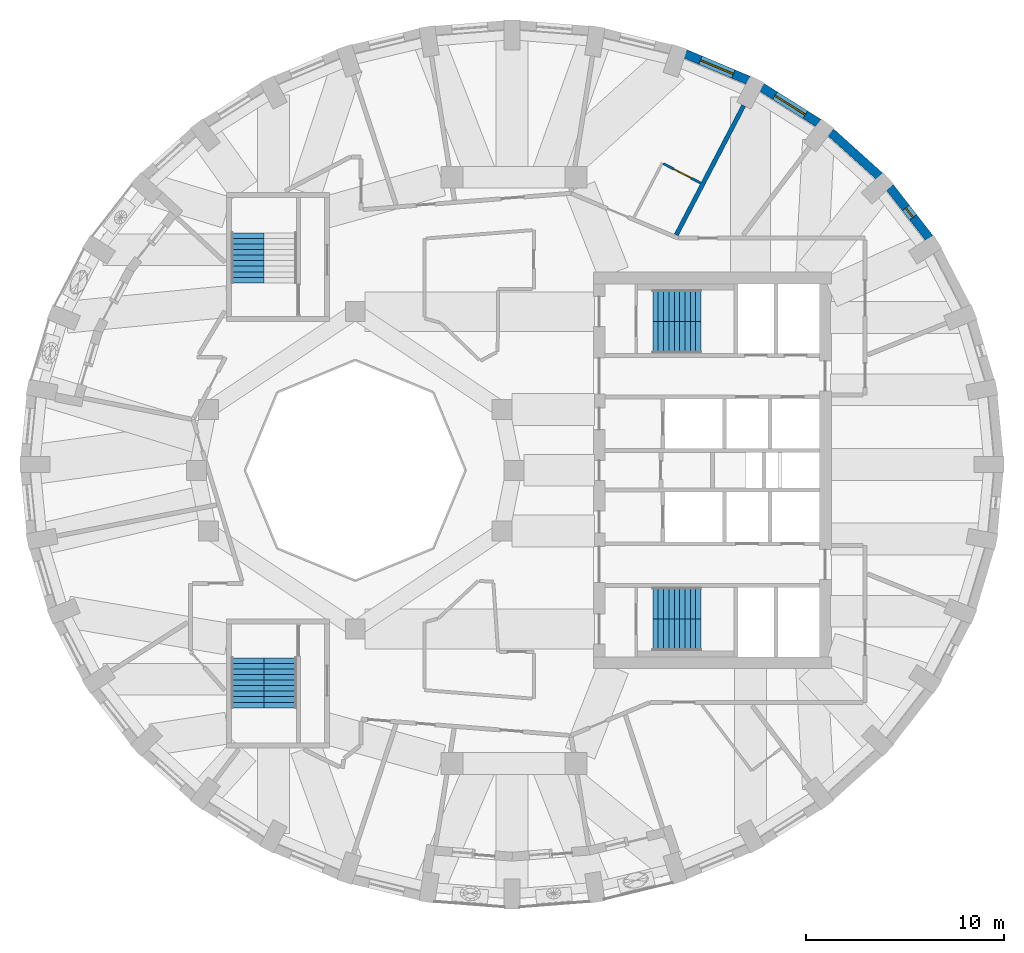
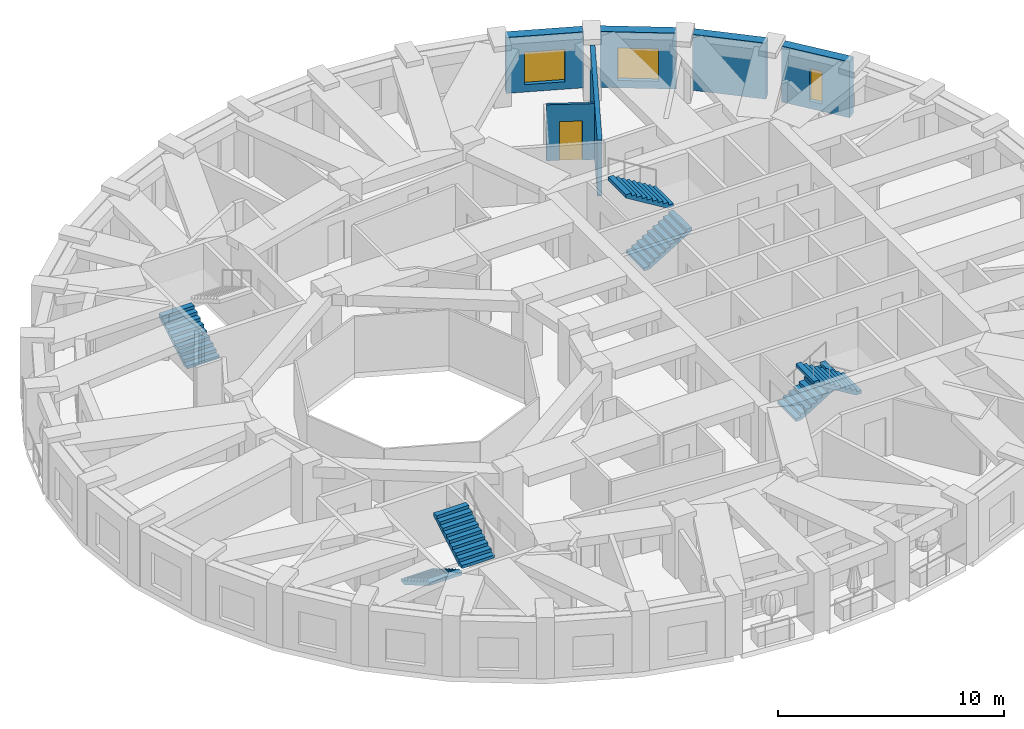
# One storey, part 8 of 12: 7 stair flights, 6 walls, 3 windows, 1 door, 4 openings, 4 elements without a shape of their own.
"""IFC4 building model written with IfcOpenShell, lengths in metres."""

from ifc_helpers import new_model, si_unit, direction, frame, frame_2d, origin, place, context, subcontext, project, spatial, polyline, rectangle, outline, extrude, material, layer, layer_set, type_object, element, fill, aggregate, save


model = new_model("IFC4")

# Units and contexts
model_context = context("Model", 3, precision=1e-05, world=origin(), true_north=direction((0.0, 1.0)))
body_context = subcontext(model_context, "Body", "Model", "MODEL_VIEW")
ifc_project = project(units=[si_unit("LENGTHUNIT", "METRE"), si_unit("AREAUNIT", "SQUARE_METRE"), si_unit("VOLUMEUNIT", "CUBIC_METRE"), si_unit("PLANEANGLEUNIT", "RADIAN"), si_unit("MASSUNIT", "GRAM", prefix="KILO")], contexts=[model_context])

# Site, building, storey
site_placement = place(None, origin())
site = spatial("IfcSite", under=ifc_project, at=site_placement, CompositionType="ELEMENT")
building_placement = place(site_placement, origin())
building = spatial("IfcBuilding", under=site, at=building_placement, Name="Taillehof Tower", CompositionType="ELEMENT")
storey_placement = place(building_placement, frame((0.0, 0.0, 243.199951171875)))
storey = spatial("IfcBuildingStorey", under=building, at=storey_placement, Name="L69", CompositionType="ELEMENT", Elevation=243.199951171875)

# Wall, opening, window
ifc_material_1 = material(Name="Brick masonry", Category="masonry")
ifc_layer_1 = layer(ifc_material_1, 0.449951171875)
ifc_layer_set_1 = layer_set([ifc_layer_1], Name="Brick infill wall 450")
wall_type_1 = type_object("IfcWallType", Name="Brick infill wall 450", PredefinedType="SOLIDWALL", material=ifc_layer_set_1)
wall_1_placement = place(storey_placement, frame((20.93505859375, 11.70849609375, 0.0), z_axis=(0.0, 0.0, 1.0), x_axis=(-0.613862536705, 0.789412937587, 0.0)))
wall_1 = element("IfcWall", 1, at=wall_1_placement, inside=storey, type_object=wall_type_1, Name="Brick wall L69 bay 4", PredefinedType="SOLIDWALL", context=body_context, shape_type="SweptSolid", body=[
    extrude(rectangle(XDim=3.247314453125, YDim=0.449951171875, at=frame_2d((1.62353515625, 0.0))), origin(), (0.0, 0.0, 1.0), 3.02001953125),
])
opening_1_placement = place(wall_1_placement, frame((1.32373046875, 0.0, 0.39990234375)))
opening_1 = element("IfcOpeningElement", 2, at=opening_1_placement, cuts=wall_1, Name="Opening W6", PredefinedType="OPENING", context=body_context, shape_type="SweptSolid", body=[
    extrude(rectangle(XDim=0.60009765625, YDim=1.75, at=frame_2d((0.300048828125, 0.875))), frame((0.0, 0.23486328125, 0.0), z_axis=(0.0, -1.0, 0.0), x_axis=(1.0, 0.0, 0.0)), (0.0, 0.0, 1.0), 0.469970703125),
])
ifc_material_2 = material(Name="Aluminium window frame with clear double glazing", Category="aluminium")
window_type_1 = type_object("IfcWindowType", Name="Slot window 600x1750", PartitioningType="SINGLE_PANEL", PredefinedType="WINDOW", material=ifc_material_2)
window_1_placement = place(opening_1_placement, origin())
window_1 = element("IfcWindow", 3, at=window_1_placement, inside=storey, type_object=window_type_1, Name="W6", OverallHeight=1.75, OverallWidth=0.60009765625, PartitioningType="SINGLE_PANEL", PredefinedType="WINDOW", context=body_context, shape_type="SweptSolid", body=[
    extrude(rectangle(XDim=0.60009765625, YDim=1.75, at=frame_2d((0.300048828125, 0.875))), frame((0.0, 0.034912109375, 0.0), z_axis=(0.0, -1.0, 0.0), x_axis=(1.0, 0.0, 0.0)), (0.0, 0.0, 1.0), 0.06005859375),
])
fill(opening_1, window_1)

# Wall
wall_2_placement = place(storey_placement, frame((18.423828125, 14.828369140625, 0.0), z_axis=(0.0, 0.0, 1.0), x_axis=(-0.743166014219, 0.669107073128, 0.0)))
element("IfcWall", 4, at=wall_2_placement, inside=storey, type_object=wall_type_1, Name="Brick wall L69 bay 5", PredefinedType="SOLIDWALL", context=body_context, shape_type="SweptSolid", body=[
    extrude(rectangle(XDim=3.31640625, YDim=0.449951171875, at=frame_2d((1.658203125, 0.0))), origin(), (0.0, 0.0, 1.0), 3.02001953125),
])

# Wall, opening, window
wall_3_placement = place(storey_placement, frame((15.35302734375, 17.506103515625, 0.0), z_axis=(0.0, 0.0, 1.0), x_axis=(-0.845929139811, 0.53329531258, 0.0)))
wall_3 = element("IfcWall", 5, at=wall_3_placement, inside=storey, type_object=wall_type_1, Name="Brick wall L69 bay 6", PredefinedType="SOLIDWALL", context=body_context, shape_type="SweptSolid", body=[
    extrude(rectangle(XDim=3.384521484375, YDim=0.449951171875, at=frame_2d((1.6923828125, 0.0))), origin(), (0.0, 0.0, 1.0), 3.02001953125),
])
opening_2_placement = place(wall_3_placement, frame((0.792236328125, 0.0, 0.39990234375)))
opening_2 = element("IfcOpeningElement", 6, at=opening_2_placement, cuts=wall_3, Name="Opening W4", PredefinedType="OPENING", context=body_context, shape_type="SweptSolid", body=[
    extrude(rectangle(XDim=1.800048828125, YDim=1.75, at=frame_2d((0.89990234375, 0.875))), frame((0.0, 0.23486328125, 0.0), z_axis=(0.0, -1.0, 0.0), x_axis=(1.0, 0.0, 0.0)), (0.0, 0.0, 1.0), 0.469970703125),
])
ifc_material_3 = material(Name="Aluminium window frame with clear double glazing", Category="aluminium")
window_type_2 = type_object("IfcWindowType", Name="Deep-set window 1800x1750", PartitioningType="SINGLE_PANEL", PredefinedType="WINDOW", material=ifc_material_3)
window_2_placement = place(opening_2_placement, origin())
window_2 = element("IfcWindow", 7, at=window_2_placement, inside=storey, type_object=window_type_2, Name="W4", OverallHeight=1.75, OverallWidth=1.800048828125, PartitioningType="SINGLE_PANEL", PredefinedType="WINDOW", context=body_context, shape_type="SweptSolid", body=[
    extrude(rectangle(XDim=1.800048828125, YDim=1.75, at=frame_2d((0.89990234375, 0.875))), frame((0.0, 0.034912109375, 0.0), z_axis=(0.0, -1.0, 0.0), x_axis=(1.0, 0.0, 0.0)), (0.0, 0.0, 1.0), 0.06005859375),
])
fill(opening_2, window_2)

wall_4_placement = place(storey_placement, frame((11.815673828125, 19.661865234375, 0.0), z_axis=(0.0, 0.0, 1.0), x_axis=(-0.922024627475, 0.387131226239, 0.0)))
wall_4 = element("IfcWall", 8, at=wall_4_placement, inside=storey, type_object=wall_type_1, Name="Brick wall L69 bay 7", PredefinedType="SOLIDWALL", context=body_context, shape_type="SweptSolid", body=[
    extrude(rectangle(XDim=3.443359375, YDim=0.449951171875, at=frame_2d((1.7216796875, 0.0))), origin(), (0.0, 0.0, 1.0), 3.02001953125),
])
opening_3_placement = place(wall_4_placement, frame((0.82177734375, 0.0, 0.39990234375)))
opening_3 = element("IfcOpeningElement", 9, at=opening_3_placement, cuts=wall_4, Name="Opening W4", PredefinedType="OPENING", context=body_context, shape_type="SweptSolid", body=[
    extrude(rectangle(XDim=1.800048828125, YDim=1.75, at=frame_2d((0.89990234375, 0.875))), frame((0.0, 0.23486328125, 0.0), z_axis=(0.0, -1.0, 0.0), x_axis=(1.0, 0.0, 0.0)), (0.0, 0.0, 1.0), 0.469970703125),
])
window_3_placement = place(opening_3_placement, origin())
window_3 = element("IfcWindow", 10, at=window_3_placement, inside=storey, type_object=window_type_2, Name="W4", OverallHeight=1.75, OverallWidth=1.800048828125, PartitioningType="SINGLE_PANEL", PredefinedType="WINDOW", context=body_context, shape_type="SweptSolid", body=[
    extrude(rectangle(XDim=1.800048828125, YDim=1.75, at=frame_2d((0.89990234375, 0.875))), frame((0.0, 0.034912109375, 0.0), z_axis=(0.0, -1.0, 0.0), x_axis=(1.0, 0.0, 0.0)), (0.0, 0.0, 1.0), 0.06005859375),
])
fill(opening_3, window_3)

# Wall
ifc_material_4 = material(Name="Gypsum board on double steel studs with mineral wool", Category="steel")
ifc_layer_2 = layer(ifc_material_4, 0.219970703125)
ifc_layer_set_2 = layer_set([ifc_layer_2], Name="Compartment wall guest room 220")
wall_type_2 = type_object("IfcWallType", Name="Compartment wall guest room 220", PredefinedType="PARTITIONING", material=ifc_layer_set_2)
wall_5_placement = place(storey_placement, frame((11.578125, 18.384521484375, 0.0), z_axis=(0.0, 0.0, 1.0), x_axis=(-0.462372875873, -0.886685583314, 0.0)))
element("IfcWall", 11, at=wall_5_placement, inside=storey, type_object=wall_type_2, Name="Compartment wall", PredefinedType="PARTITIONING", context=body_context, shape_type="SweptSolid", body=[
    extrude(rectangle(XDim=7.3447265625, YDim=0.219970703125, at=frame_2d((3.67236328125, 0.0))), origin(), (0.0, 0.0, 1.0), 3.02001953125),
])

# Wall, opening, door
ifc_material_5 = material(Name="Gypsum board on steel studs, moisture resistant", Category="steel")
ifc_layer_3 = layer(ifc_material_5, 0.1201171875)
ifc_layer_set_3 = layer_set([ifc_layer_3], Name="En-suite wall 120")
wall_type_3 = type_object("IfcWallType", Name="En-suite wall 120", PredefinedType="PARTITIONING", material=ifc_layer_set_3)
wall_6_placement = place(storey_placement, frame((7.52734375, 15.4609375, 0.0), z_axis=(0.0, 0.0, 1.0), x_axis=(0.88668701022, -0.462370139507, 0.0)))
wall_6 = element("IfcWall", 12, at=wall_6_placement, inside=storey, type_object=wall_type_3, Name="En-suite wall", PredefinedType="PARTITIONING", context=body_context, shape_type="SweptSolid", body=[
    extrude(rectangle(XDim=2.130126953125, YDim=0.1201171875, at=frame_2d((1.06494140625, 0.0))), origin(), (0.0, 0.0, 1.0), 3.02001953125),
])
opening_4_placement = place(wall_6_placement, frame((0.590087890625, 0.0, 0.0)))
opening_4 = element("IfcOpeningElement", 13, at=opening_4_placement, cuts=wall_6, Name="Opening D6942", PredefinedType="OPENING", context=body_context, shape_type="SweptSolid", body=[
    extrude(rectangle(XDim=1.0, YDim=2.10009765625, at=frame_2d((0.5, 1.050048828125))), frame((0.0, 0.070068359375, 0.0), z_axis=(0.0, -1.0, 0.0), x_axis=(1.0, 0.0, 0.0)), (0.0, 0.0, 1.0), 0.14013671875),
])
ifc_material_6 = material(Name="Timber door leaf in steel frame", Category="steel")
door_type = type_object("IfcDoorType", Name="Accessible en-suite door 1000 x 2100", OperationType="SINGLE_SWING_LEFT", PredefinedType="DOOR", material=ifc_material_6)
door_placement = place(opening_4_placement, origin())
door = element("IfcDoor", 14, at=door_placement, inside=storey, type_object=door_type, Name="D6942", OperationType="SINGLE_SWING_RIGHT", OverallHeight=2.10009765625, OverallWidth=1.0, PredefinedType="DOOR", context=body_context, shape_type="SweptSolid", body=[
    extrude(rectangle(XDim=1.0, YDim=2.10009765625, at=frame_2d((0.5, 1.050048828125))), frame((0.0, 0.02490234375, 0.0), z_axis=(0.0, -1.0, 0.0), x_axis=(1.0, 0.0, 0.0)), (0.0, 0.0, 1.0), 0.050048828125),
])
fill(opening_4, door)

# Stair, stair flights
ifc_material_7 = material(Name="Concrete C40/50", Category="concrete")
stair_type = type_object("IfcStairType", Name="Exit stair half-turn", PredefinedType="HALF_TURN_STAIR", material=ifc_material_7)
stair_1_placement = place(storey_placement, origin())
stair_1 = element("IfcStair", 15, at=stair_1_placement, inside=storey, type_object=stair_type, Name="Exit stair S1", PredefinedType="HALF_TURN_STAIR")
ifc_material_8 = material(Name="Concrete C40/50", Category="concrete")
stair_flight_type_1 = type_object("IfcStairFlightType", Name="Stair flight 1600 riser 165.0 going 270", PredefinedType="STRAIGHT", material=ifc_material_8)
stair_flight_1_placement = place(storey_placement, frame((7.0, 6.699951171875, 0.0), z_axis=(0.0, 0.0, 1.0), x_axis=(1.0, 0.0, 0.0)))
stair_flight_1 = element("IfcStairFlight", 16, at=stair_flight_1_placement, type_object=stair_flight_type_1, Name="S1 flight 1", NumberOfRisers=10, NumberOfTreads=9, PredefinedType="STRAIGHT", RiserHeight=0.165, TreadLength=0.27, context=body_context, shape_type="SweptSolid", body=[
    extrude(outline(polyline([(0.0, 0.0), (0.0, 0.00537109375), (0.0, 0.0107421875), (0.0, 0.015869140625), (0.0, 0.021240234375), (0.0, 0.026611328125), (0.0, 0.031982421875), (0.0, 0.037353515625), (0.0, 0.04248046875), (0.0, 0.0478515625), (0.0, 0.05322265625), (0.0, 0.05859375), (0.0, 0.06396484375), (0.0, 0.069091796875), (0.0, 0.074462890625), (0.0, 0.079833984375), (0.0, 0.085205078125), (0.0, 0.090576171875), (0.0, 0.095703125), (0.0, 0.10107421875), (0.0, 0.1064453125), (0.0, 0.11181640625), (0.0, 0.1171875), (0.0, 0.122314453125), (0.0, 0.127685546875), (0.0, 0.133056640625), (0.0, 0.138427734375), (0.0, 0.143798828125), (0.0, 0.14892578125), (0.0, 0.154296875), (0.0, 0.15966796875), (0.0, 0.1650390625), (0.27001953125, 0.1650390625), (0.27001953125, 0.330078125), (0.5400390625, 0.330078125), (0.5400390625, 0.4951171875), (0.81005859375, 0.4951171875), (0.81005859375, 0.659912109375), (1.080078125, 0.659912109375), (1.080078125, 0.824951171875), (1.35009765625, 0.824951171875), (1.35009765625, 0.989990234375), (1.6201171875, 0.989990234375), (1.6201171875, 1.155029296875), (1.889892578125, 1.155029296875), (1.889892578125, 1.320068359375), (2.159912109375, 1.320068359375), (2.159912109375, 1.485107421875), (2.429931640625, 1.485107421875), (2.429931640625, 1.479248046875), (2.429931640625, 1.4736328125), (2.429931640625, 1.468017578125), (2.429931640625, 1.46240234375), (2.429931640625, 1.45654296875), (2.429931640625, 1.450927734375), (2.429931640625, 1.4453125), (2.429931640625, 1.439697265625), (2.429931640625, 1.43408203125), (2.429931640625, 1.42822265625), (2.429931640625, 1.422607421875), (2.429931640625, 1.4169921875), (2.429931640625, 1.411376953125), (2.429931640625, 1.40576171875), (2.429931640625, 1.39990234375), (2.429931640625, 1.394287109375), (2.429931640625, 1.388671875), (2.429931640625, 1.383056640625), (2.429931640625, 1.37744140625), (2.429931640625, 1.37158203125), (2.429931640625, 1.365966796875), (2.429931640625, 1.3603515625), (2.429931640625, 1.354736328125), (2.429931640625, 1.348876953125), (2.429931640625, 1.34326171875), (2.429931640625, 1.337646484375), (2.429931640625, 1.33203125), (2.429931640625, 1.326416015625), (2.429931640625, 1.320556640625), (2.429931640625, 1.31494140625), (2.429931640625, 1.309326171875), (0.287353515625, 0.0), (0.0, 0.0)])), frame((0.0, 0.800048828125, 0.0), z_axis=(0.0, -1.0, 0.0), x_axis=(1.0, 0.0, 0.0)), (0.0, 0.0, 1.0), 1.6),
])
stair_flight_2_placement = place(storey_placement, frame((9.429931640625, 8.300048828125, 1.650146484375), z_axis=(0.0, 0.0, 1.0), x_axis=(-1.0, 0.0, 0.0)))
stair_flight_2 = element("IfcStairFlight", 17, at=stair_flight_2_placement, type_object=stair_flight_type_1, Name="S1 flight 2", NumberOfRisers=10, NumberOfTreads=9, PredefinedType="STRAIGHT", RiserHeight=0.165, TreadLength=0.27, context=body_context, shape_type="SweptSolid", body=[
    extrude(outline(polyline([(0.0, 0.0), (0.0, 0.00537109375), (0.0, 0.0107421875), (0.0, 0.015869140625), (0.0, 0.021240234375), (0.0, 0.026611328125), (0.0, 0.031982421875), (0.0, 0.037353515625), (0.0, 0.04248046875), (0.0, 0.0478515625), (0.0, 0.05322265625), (0.0, 0.05859375), (0.0, 0.06396484375), (0.0, 0.069091796875), (0.0, 0.074462890625), (0.0, 0.079833984375), (0.0, 0.085205078125), (0.0, 0.090576171875), (0.0, 0.095703125), (0.0, 0.10107421875), (0.0, 0.1064453125), (0.0, 0.11181640625), (0.0, 0.1171875), (0.0, 0.122314453125), (0.0, 0.127685546875), (0.0, 0.133056640625), (0.0, 0.138427734375), (0.0, 0.143798828125), (0.0, 0.14892578125), (0.0, 0.154296875), (0.0, 0.15966796875), (0.0, 0.1650390625), (0.27001953125, 0.1650390625), (0.27001953125, 0.330078125), (0.5400390625, 0.330078125), (0.5400390625, 0.4951171875), (0.81005859375, 0.4951171875), (0.81005859375, 0.659912109375), (1.080078125, 0.659912109375), (1.080078125, 0.824951171875), (1.35009765625, 0.824951171875), (1.35009765625, 0.989990234375), (1.6201171875, 0.989990234375), (1.6201171875, 1.155029296875), (1.889892578125, 1.155029296875), (1.889892578125, 1.320068359375), (2.159912109375, 1.320068359375), (2.159912109375, 1.485107421875), (2.429931640625, 1.485107421875), (2.429931640625, 1.479248046875), (2.429931640625, 1.4736328125), (2.429931640625, 1.468017578125), (2.429931640625, 1.46240234375), (2.429931640625, 1.45654296875), (2.429931640625, 1.450927734375), (2.429931640625, 1.4453125), (2.429931640625, 1.439697265625), (2.429931640625, 1.43408203125), (2.429931640625, 1.42822265625), (2.429931640625, 1.422607421875), (2.429931640625, 1.4169921875), (2.429931640625, 1.411376953125), (2.429931640625, 1.40576171875), (2.429931640625, 1.39990234375), (2.429931640625, 1.394287109375), (2.429931640625, 1.388671875), (2.429931640625, 1.383056640625), (2.429931640625, 1.37744140625), (2.429931640625, 1.37158203125), (2.429931640625, 1.365966796875), (2.429931640625, 1.3603515625), (2.429931640625, 1.354736328125), (2.429931640625, 1.348876953125), (2.429931640625, 1.34326171875), (2.429931640625, 1.337646484375), (2.429931640625, 1.33203125), (2.429931640625, 1.326416015625), (2.429931640625, 1.320556640625), (2.429931640625, 1.31494140625), (2.429931640625, 1.309326171875), (0.287353515625, 0.0), (0.0, 0.0)])), frame((0.0, 0.800048828125, 0.0), z_axis=(0.0, -1.0, 0.0), x_axis=(1.0, 0.0, 0.0)), (0.0, 0.0, 1.0), 1.6),
])
aggregate(stair_1, [stair_flight_1, stair_flight_2])

stair_2_placement = place(storey_placement, origin())
stair_2 = element("IfcStair", 18, at=stair_2_placement, inside=storey, type_object=stair_type, Name="Exit stair S2", PredefinedType="HALF_TURN_STAIR")
stair_flight_3_placement = place(storey_placement, frame((7.0, -6.699951171875, 0.0), z_axis=(0.0, 0.0, 1.0), x_axis=(1.0, 0.0, 0.0)))
stair_flight_3 = element("IfcStairFlight", 19, at=stair_flight_3_placement, type_object=stair_flight_type_1, Name="S2 flight 1", NumberOfRisers=10, NumberOfTreads=9, PredefinedType="STRAIGHT", RiserHeight=0.165, TreadLength=0.27, context=body_context, shape_type="SweptSolid", body=[
    extrude(outline(polyline([(0.0, 0.0), (0.0, 0.00537109375), (0.0, 0.0107421875), (0.0, 0.015869140625), (0.0, 0.021240234375), (0.0, 0.026611328125), (0.0, 0.031982421875), (0.0, 0.037353515625), (0.0, 0.04248046875), (0.0, 0.0478515625), (0.0, 0.05322265625), (0.0, 0.05859375), (0.0, 0.06396484375), (0.0, 0.069091796875), (0.0, 0.074462890625), (0.0, 0.079833984375), (0.0, 0.085205078125), (0.0, 0.090576171875), (0.0, 0.095703125), (0.0, 0.10107421875), (0.0, 0.1064453125), (0.0, 0.11181640625), (0.0, 0.1171875), (0.0, 0.122314453125), (0.0, 0.127685546875), (0.0, 0.133056640625), (0.0, 0.138427734375), (0.0, 0.143798828125), (0.0, 0.14892578125), (0.0, 0.154296875), (0.0, 0.15966796875), (0.0, 0.1650390625), (0.27001953125, 0.1650390625), (0.27001953125, 0.330078125), (0.5400390625, 0.330078125), (0.5400390625, 0.4951171875), (0.81005859375, 0.4951171875), (0.81005859375, 0.659912109375), (1.080078125, 0.659912109375), (1.080078125, 0.824951171875), (1.35009765625, 0.824951171875), (1.35009765625, 0.989990234375), (1.6201171875, 0.989990234375), (1.6201171875, 1.155029296875), (1.889892578125, 1.155029296875), (1.889892578125, 1.320068359375), (2.159912109375, 1.320068359375), (2.159912109375, 1.485107421875), (2.429931640625, 1.485107421875), (2.429931640625, 1.479248046875), (2.429931640625, 1.4736328125), (2.429931640625, 1.468017578125), (2.429931640625, 1.46240234375), (2.429931640625, 1.45654296875), (2.429931640625, 1.450927734375), (2.429931640625, 1.4453125), (2.429931640625, 1.439697265625), (2.429931640625, 1.43408203125), (2.429931640625, 1.42822265625), (2.429931640625, 1.422607421875), (2.429931640625, 1.4169921875), (2.429931640625, 1.411376953125), (2.429931640625, 1.40576171875), (2.429931640625, 1.39990234375), (2.429931640625, 1.394287109375), (2.429931640625, 1.388671875), (2.429931640625, 1.383056640625), (2.429931640625, 1.37744140625), (2.429931640625, 1.37158203125), (2.429931640625, 1.365966796875), (2.429931640625, 1.3603515625), (2.429931640625, 1.354736328125), (2.429931640625, 1.348876953125), (2.429931640625, 1.34326171875), (2.429931640625, 1.337646484375), (2.429931640625, 1.33203125), (2.429931640625, 1.326416015625), (2.429931640625, 1.320556640625), (2.429931640625, 1.31494140625), (2.429931640625, 1.309326171875), (0.287353515625, 0.0), (0.0, 0.0)])), frame((0.0, 0.800048828125, 0.0), z_axis=(0.0, -1.0, 0.0), x_axis=(1.0, 0.0, 0.0)), (0.0, 0.0, 1.0), 1.6),
])
stair_flight_4_placement = place(storey_placement, frame((9.429931640625, -8.300048828125, 1.650146484375), z_axis=(0.0, 0.0, 1.0), x_axis=(-1.0, 0.0, 0.0)))
stair_flight_4 = element("IfcStairFlight", 20, at=stair_flight_4_placement, type_object=stair_flight_type_1, Name="S2 flight 2", NumberOfRisers=10, NumberOfTreads=9, PredefinedType="STRAIGHT", RiserHeight=0.165, TreadLength=0.27, context=body_context, shape_type="SweptSolid", body=[
    extrude(outline(polyline([(0.0, 0.0), (0.0, 0.00537109375), (0.0, 0.0107421875), (0.0, 0.015869140625), (0.0, 0.021240234375), (0.0, 0.026611328125), (0.0, 0.031982421875), (0.0, 0.037353515625), (0.0, 0.04248046875), (0.0, 0.0478515625), (0.0, 0.05322265625), (0.0, 0.05859375), (0.0, 0.06396484375), (0.0, 0.069091796875), (0.0, 0.074462890625), (0.0, 0.079833984375), (0.0, 0.085205078125), (0.0, 0.090576171875), (0.0, 0.095703125), (0.0, 0.10107421875), (0.0, 0.1064453125), (0.0, 0.11181640625), (0.0, 0.1171875), (0.0, 0.122314453125), (0.0, 0.127685546875), (0.0, 0.133056640625), (0.0, 0.138427734375), (0.0, 0.143798828125), (0.0, 0.14892578125), (0.0, 0.154296875), (0.0, 0.15966796875), (0.0, 0.1650390625), (0.27001953125, 0.1650390625), (0.27001953125, 0.330078125), (0.5400390625, 0.330078125), (0.5400390625, 0.4951171875), (0.81005859375, 0.4951171875), (0.81005859375, 0.659912109375), (1.080078125, 0.659912109375), (1.080078125, 0.824951171875), (1.35009765625, 0.824951171875), (1.35009765625, 0.989990234375), (1.6201171875, 0.989990234375), (1.6201171875, 1.155029296875), (1.889892578125, 1.155029296875), (1.889892578125, 1.320068359375), (2.159912109375, 1.320068359375), (2.159912109375, 1.485107421875), (2.429931640625, 1.485107421875), (2.429931640625, 1.479248046875), (2.429931640625, 1.4736328125), (2.429931640625, 1.468017578125), (2.429931640625, 1.46240234375), (2.429931640625, 1.45654296875), (2.429931640625, 1.450927734375), (2.429931640625, 1.4453125), (2.429931640625, 1.439697265625), (2.429931640625, 1.43408203125), (2.429931640625, 1.42822265625), (2.429931640625, 1.422607421875), (2.429931640625, 1.4169921875), (2.429931640625, 1.411376953125), (2.429931640625, 1.40576171875), (2.429931640625, 1.39990234375), (2.429931640625, 1.394287109375), (2.429931640625, 1.388671875), (2.429931640625, 1.383056640625), (2.429931640625, 1.37744140625), (2.429931640625, 1.37158203125), (2.429931640625, 1.365966796875), (2.429931640625, 1.3603515625), (2.429931640625, 1.354736328125), (2.429931640625, 1.348876953125), (2.429931640625, 1.34326171875), (2.429931640625, 1.337646484375), (2.429931640625, 1.33203125), (2.429931640625, 1.326416015625), (2.429931640625, 1.320556640625), (2.429931640625, 1.31494140625), (2.429931640625, 1.309326171875), (0.287353515625, 0.0), (0.0, 0.0)])), frame((0.0, 0.800048828125, 0.0), z_axis=(0.0, -1.0, 0.0), x_axis=(1.0, 0.0, 0.0)), (0.0, 0.0, 1.0), 1.6),
])
aggregate(stair_2, [stair_flight_3, stair_flight_4])

# Stair, stair flight
stair_3_placement = place(storey_placement, origin())
stair_3 = element("IfcStair", 21, at=stair_3_placement, inside=storey, type_object=stair_type, Name="Exit stair S3", PredefinedType="HALF_TURN_STAIR")
ifc_material_9 = material(Name="Concrete C40/50", Category="concrete")
stair_flight_type_2 = type_object("IfcStairFlightType", Name="Stair flight 1650 riser 165.0 going 280", PredefinedType="STRAIGHT", material=ifc_material_9)
stair_flight_5_placement = place(storey_placement, frame((-13.425048828125, 9.449951171875, 0.0), z_axis=(0.0, 0.0, 1.0), x_axis=(0.0, 1.0, 0.0)))
stair_flight_5 = element("IfcStairFlight", 22, at=stair_flight_5_placement, type_object=stair_flight_type_2, Name="S3 flight 1", NumberOfRisers=10, NumberOfTreads=9, PredefinedType="STRAIGHT", RiserHeight=0.165, TreadLength=0.28, context=body_context, shape_type="SweptSolid", body=[
    extrude(outline(polyline([(0.0, 0.0), (0.0, 0.00537109375), (0.0, 0.0107421875), (0.0, 0.015869140625), (0.0, 0.021240234375), (0.0, 0.026611328125), (0.0, 0.031982421875), (0.0, 0.037353515625), (0.0, 0.04248046875), (0.0, 0.0478515625), (0.0, 0.05322265625), (0.0, 0.05859375), (0.0, 0.06396484375), (0.0, 0.069091796875), (0.0, 0.074462890625), (0.0, 0.079833984375), (0.0, 0.085205078125), (0.0, 0.090576171875), (0.0, 0.095703125), (0.0, 0.10107421875), (0.0, 0.1064453125), (0.0, 0.11181640625), (0.0, 0.1171875), (0.0, 0.122314453125), (0.0, 0.127685546875), (0.0, 0.133056640625), (0.0, 0.138427734375), (0.0, 0.143798828125), (0.0, 0.14892578125), (0.0, 0.154296875), (0.0, 0.15966796875), (0.0, 0.1650390625), (0.280029296875, 0.1650390625), (0.280029296875, 0.330078125), (0.56005859375, 0.330078125), (0.56005859375, 0.4951171875), (0.840087890625, 0.4951171875), (0.840087890625, 0.659912109375), (1.1201171875, 0.659912109375), (1.1201171875, 0.824951171875), (1.39990234375, 0.824951171875), (1.39990234375, 0.989990234375), (1.679931640625, 0.989990234375), (1.679931640625, 1.155029296875), (1.9599609375, 1.155029296875), (1.9599609375, 1.320068359375), (2.239990234375, 1.320068359375), (2.239990234375, 1.485107421875), (2.52001953125, 1.485107421875), (2.52001953125, 1.4794921875), (2.52001953125, 1.473876953125), (2.52001953125, 1.46826171875), (2.52001953125, 1.462646484375), (2.52001953125, 1.45703125), (2.52001953125, 1.451416015625), (2.52001953125, 1.44580078125), (2.52001953125, 1.440185546875), (2.52001953125, 1.4345703125), (2.52001953125, 1.428955078125), (2.52001953125, 1.42333984375), (2.52001953125, 1.417724609375), (2.52001953125, 1.412109375), (2.52001953125, 1.406494140625), (2.52001953125, 1.40087890625), (2.52001953125, 1.395263671875), (2.52001953125, 1.3896484375), (2.52001953125, 1.384033203125), (2.52001953125, 1.37841796875), (2.52001953125, 1.372802734375), (2.52001953125, 1.3671875), (2.52001953125, 1.361572265625), (2.52001953125, 1.35595703125), (2.52001953125, 1.350341796875), (2.52001953125, 1.3447265625), (2.52001953125, 1.339111328125), (2.52001953125, 1.33349609375), (2.52001953125, 1.327880859375), (2.52001953125, 1.322265625), (2.52001953125, 1.316650390625), (2.52001953125, 1.31103515625), (0.295166015625, 0.0), (0.0, 0.0)])), frame((0.0, 0.824951171875, 0.0), z_axis=(0.0, -1.0, 0.0), x_axis=(1.0, 0.0, 0.0)), (0.0, 0.0, 1.0), 1.65),
])
aggregate(stair_3, [stair_flight_5])

# Stair, stair flights
stair_4_placement = place(storey_placement, origin())
stair_4 = element("IfcStair", 23, at=stair_4_placement, inside=storey, type_object=stair_type, Name="Exit stair S4", PredefinedType="HALF_TURN_STAIR")
stair_flight_6_placement = place(storey_placement, frame((-13.425048828125, -9.449951171875, 0.0), z_axis=(0.0, 0.0, 1.0), x_axis=(0.0, -1.0, 0.0)))
stair_flight_6 = element("IfcStairFlight", 24, at=stair_flight_6_placement, type_object=stair_flight_type_2, Name="S4 flight 1", NumberOfRisers=10, NumberOfTreads=9, PredefinedType="STRAIGHT", RiserHeight=0.165, TreadLength=0.28, context=body_context, shape_type="SweptSolid", body=[
    extrude(outline(polyline([(0.0, 0.0), (0.0, 0.00537109375), (0.0, 0.0107421875), (0.0, 0.015869140625), (0.0, 0.021240234375), (0.0, 0.026611328125), (0.0, 0.031982421875), (0.0, 0.037353515625), (0.0, 0.04248046875), (0.0, 0.0478515625), (0.0, 0.05322265625), (0.0, 0.05859375), (0.0, 0.06396484375), (0.0, 0.069091796875), (0.0, 0.074462890625), (0.0, 0.079833984375), (0.0, 0.085205078125), (0.0, 0.090576171875), (0.0, 0.095703125), (0.0, 0.10107421875), (0.0, 0.1064453125), (0.0, 0.11181640625), (0.0, 0.1171875), (0.0, 0.122314453125), (0.0, 0.127685546875), (0.0, 0.133056640625), (0.0, 0.138427734375), (0.0, 0.143798828125), (0.0, 0.14892578125), (0.0, 0.154296875), (0.0, 0.15966796875), (0.0, 0.1650390625), (0.280029296875, 0.1650390625), (0.280029296875, 0.330078125), (0.56005859375, 0.330078125), (0.56005859375, 0.4951171875), (0.840087890625, 0.4951171875), (0.840087890625, 0.659912109375), (1.1201171875, 0.659912109375), (1.1201171875, 0.824951171875), (1.39990234375, 0.824951171875), (1.39990234375, 0.989990234375), (1.679931640625, 0.989990234375), (1.679931640625, 1.155029296875), (1.9599609375, 1.155029296875), (1.9599609375, 1.320068359375), (2.239990234375, 1.320068359375), (2.239990234375, 1.485107421875), (2.52001953125, 1.485107421875), (2.52001953125, 1.4794921875), (2.52001953125, 1.473876953125), (2.52001953125, 1.46826171875), (2.52001953125, 1.462646484375), (2.52001953125, 1.45703125), (2.52001953125, 1.451416015625), (2.52001953125, 1.44580078125), (2.52001953125, 1.440185546875), (2.52001953125, 1.4345703125), (2.52001953125, 1.428955078125), (2.52001953125, 1.42333984375), (2.52001953125, 1.417724609375), (2.52001953125, 1.412109375), (2.52001953125, 1.406494140625), (2.52001953125, 1.40087890625), (2.52001953125, 1.395263671875), (2.52001953125, 1.3896484375), (2.52001953125, 1.384033203125), (2.52001953125, 1.37841796875), (2.52001953125, 1.372802734375), (2.52001953125, 1.3671875), (2.52001953125, 1.361572265625), (2.52001953125, 1.35595703125), (2.52001953125, 1.350341796875), (2.52001953125, 1.3447265625), (2.52001953125, 1.339111328125), (2.52001953125, 1.33349609375), (2.52001953125, 1.327880859375), (2.52001953125, 1.322265625), (2.52001953125, 1.316650390625), (2.52001953125, 1.31103515625), (0.295166015625, 0.0), (0.0, 0.0)])), frame((0.0, 0.824951171875, 0.0), z_axis=(0.0, -1.0, 0.0), x_axis=(1.0, 0.0, 0.0)), (0.0, 0.0, 1.0), 1.65),
])
stair_flight_7_placement = place(storey_placement, frame((-11.77490234375, -11.969970703125, 1.650146484375), z_axis=(0.0, 0.0, 1.0), x_axis=(0.0, 1.0, 0.0)))
stair_flight_7 = element("IfcStairFlight", 25, at=stair_flight_7_placement, type_object=stair_flight_type_2, Name="S4 flight 2", NumberOfRisers=10, NumberOfTreads=9, PredefinedType="STRAIGHT", RiserHeight=0.165, TreadLength=0.28, context=body_context, shape_type="SweptSolid", body=[
    extrude(outline(polyline([(0.0, 0.0), (0.0, 0.00537109375), (0.0, 0.0107421875), (0.0, 0.015869140625), (0.0, 0.021240234375), (0.0, 0.026611328125), (0.0, 0.031982421875), (0.0, 0.037353515625), (0.0, 0.04248046875), (0.0, 0.0478515625), (0.0, 0.05322265625), (0.0, 0.05859375), (0.0, 0.06396484375), (0.0, 0.069091796875), (0.0, 0.074462890625), (0.0, 0.079833984375), (0.0, 0.085205078125), (0.0, 0.090576171875), (0.0, 0.095703125), (0.0, 0.10107421875), (0.0, 0.1064453125), (0.0, 0.11181640625), (0.0, 0.1171875), (0.0, 0.122314453125), (0.0, 0.127685546875), (0.0, 0.133056640625), (0.0, 0.138427734375), (0.0, 0.143798828125), (0.0, 0.14892578125), (0.0, 0.154296875), (0.0, 0.15966796875), (0.0, 0.1650390625), (0.280029296875, 0.1650390625), (0.280029296875, 0.330078125), (0.56005859375, 0.330078125), (0.56005859375, 0.4951171875), (0.840087890625, 0.4951171875), (0.840087890625, 0.659912109375), (1.1201171875, 0.659912109375), (1.1201171875, 0.824951171875), (1.39990234375, 0.824951171875), (1.39990234375, 0.989990234375), (1.679931640625, 0.989990234375), (1.679931640625, 1.155029296875), (1.9599609375, 1.155029296875), (1.9599609375, 1.320068359375), (2.239990234375, 1.320068359375), (2.239990234375, 1.485107421875), (2.52001953125, 1.485107421875), (2.52001953125, 1.4794921875), (2.52001953125, 1.473876953125), (2.52001953125, 1.46826171875), (2.52001953125, 1.462646484375), (2.52001953125, 1.45703125), (2.52001953125, 1.451416015625), (2.52001953125, 1.44580078125), (2.52001953125, 1.440185546875), (2.52001953125, 1.4345703125), (2.52001953125, 1.428955078125), (2.52001953125, 1.42333984375), (2.52001953125, 1.417724609375), (2.52001953125, 1.412109375), (2.52001953125, 1.406494140625), (2.52001953125, 1.40087890625), (2.52001953125, 1.395263671875), (2.52001953125, 1.3896484375), (2.52001953125, 1.384033203125), (2.52001953125, 1.37841796875), (2.52001953125, 1.372802734375), (2.52001953125, 1.3671875), (2.52001953125, 1.361572265625), (2.52001953125, 1.35595703125), (2.52001953125, 1.350341796875), (2.52001953125, 1.3447265625), (2.52001953125, 1.339111328125), (2.52001953125, 1.33349609375), (2.52001953125, 1.327880859375), (2.52001953125, 1.322265625), (2.52001953125, 1.316650390625), (2.52001953125, 1.31103515625), (0.295166015625, 0.0), (0.0, 0.0)])), frame((0.0, 0.824951171875, 0.0), z_axis=(0.0, -1.0, 0.0), x_axis=(1.0, 0.0, 0.0)), (0.0, 0.0, 1.0), 1.65),
])
aggregate(stair_4, [stair_flight_6, stair_flight_7])

save(model, "model.ifc")
